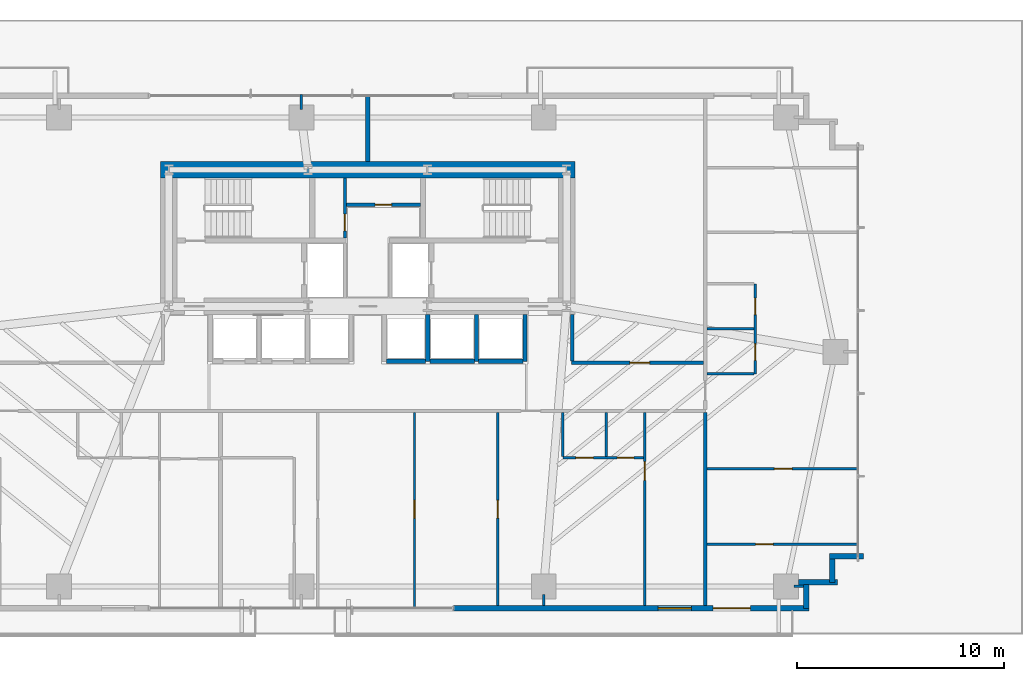
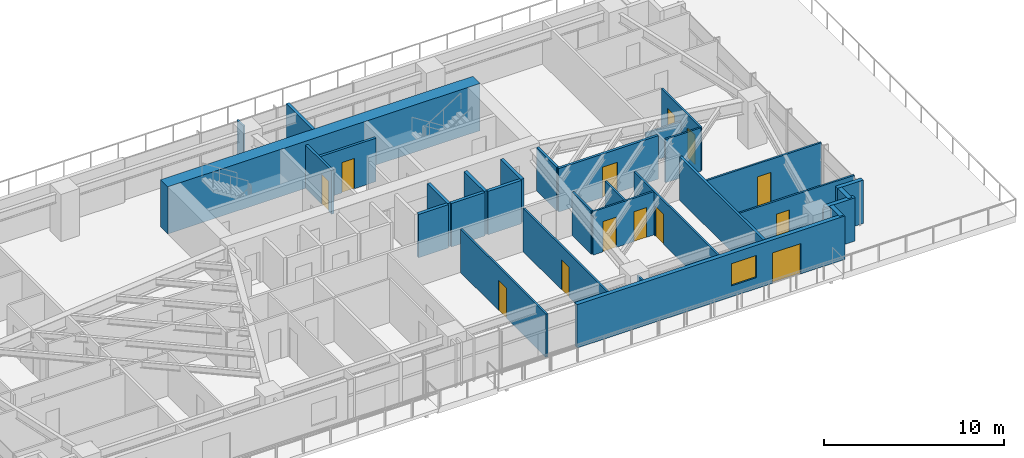
# One storey, part 21 of 26: 32 walls, 13 doors, 1 window, 14 openings.
"""IFC4 building model written with IfcOpenShell, lengths in metres."""

from ifc_helpers import new_model, si_unit, direction, frame, frame_2d, origin, place, context, subcontext, project, spatial, rectangle, extrude, source, transform, mapped, material, layer, layer_set, type_object, type_shapes, element, fill, save


model = new_model("IFC4")

# Units and contexts
model_context = context("Model", 3, precision=1e-05, world=origin(), true_north=direction((0.0, 1.0)))
body_context = subcontext(model_context, "Body", "Model", "MODEL_VIEW")
ifc_project = project(units=[si_unit("LENGTHUNIT", "METRE"), si_unit("AREAUNIT", "SQUARE_METRE"), si_unit("VOLUMEUNIT", "CUBIC_METRE"), si_unit("PLANEANGLEUNIT", "RADIAN"), si_unit("MASSUNIT", "GRAM", prefix="KILO")], contexts=[model_context])

# Site, building, storey
site_placement = place(None, origin())
site = spatial("IfcSite", under=ifc_project, at=site_placement, CompositionType="ELEMENT")
building_placement = place(site_placement, origin())
building = spatial("IfcBuilding", under=site, at=building_placement, Name="Astriad Promenade Condominiums", CompositionType="ELEMENT")
storey_placement = place(building_placement, frame((0.0, 0.0, 23.0)))
storey = spatial("IfcBuildingStorey", under=building, at=storey_placement, Name="L05", CompositionType="ELEMENT", Elevation=23.0)

# Wall
ifc_material_1 = material(Name="Concrete C80/95", Category="concrete")
ifc_layer_1 = layer(ifc_material_1, 0.800048828125)
ifc_layer_set_1 = layer_set([ifc_layer_1], Name="Concrete C80/95")
wall_type_1 = type_object("IfcWallType", Name="CW-SHEAR-800", PredefinedType="SHEAR", material=ifc_layer_set_1)
wall_1_placement = place(storey_placement, frame((26.0, 24.0, 0.0), z_axis=(0.0, 0.0, 1.0), x_axis=(1.0, 0.0, 0.0)))
element("IfcWall", 1, at=wall_1_placement, inside=storey, type_object=wall_type_1, Name="CW-CORE-N-L05", PredefinedType="SHEAR", context=body_context, shape_type="SweptSolid", body=[
    extrude(rectangle(XDim=20.0, YDim=0.800048828125, at=frame_2d((10.0, 0.0))), origin(), (0.0, 0.0, 1.0), 3.199951171875),
])

# Wall, opening, door
ifc_material_2 = material(Name="Fire-Rated Gypsum Partition")
ifc_layer_2 = layer(ifc_material_2, 0.159912109375)
ifc_layer_set_2 = layer_set([ifc_layer_2], Name="Fire-Rated Gypsum Partition")
wall_type_2 = type_object("IfcWallType", Name="WALL-CORR-160", PredefinedType="PARTITIONING", material=ifc_layer_set_2)
wall_2_placement = place(storey_placement, frame((34.89990234375, 20.701904296875, 0.0), z_axis=(0.0, 0.0, 1.0), x_axis=(0.0, 1.0, 0.0)))
wall_2 = element("IfcWall", 2, at=wall_2_placement, inside=storey, type_object=wall_type_2, Name="CW-AUX-W-L05", PredefinedType="PARTITIONING", context=body_context, shape_type="SweptSolid", body=[
    extrude(rectangle(XDim=2.89599609375, YDim=0.159912109375, at=frame_2d((1.447998046875, 0.0))), origin(), (0.0, 0.0, 1.0), 2.93994140625),
])
opening_1_placement = place(wall_2_placement, frame((0.347900390625, 0.0, 0.0)))
opening_1 = element("IfcOpeningElement", 3, at=opening_1_placement, cuts=wall_2, Name="Opening FD60-SV-080", PredefinedType="OPENING", context=body_context, shape_type="SweptSolid", body=[
    extrude(rectangle(XDim=0.800048828125, YDim=2.050048828125, at=frame_2d((0.39990234375, 1.02490234375))), frame((0.0, 0.08984375, 0.0), z_axis=(0.0, -1.0, 0.0), x_axis=(1.0, 0.0, 0.0)), (0.0, 0.0, 1.0), 0.179931640625),
])
ifc_material_3 = material(Name="Fire-Rated Riser Closet Door")
door_type_1 = type_object("IfcDoorType", Name="FD60-SV-080", OperationType="NOTDEFINED", PredefinedType="DOOR", material=ifc_material_3)
shared_shape_1 = source(origin(), body_context, "Body", "SweptSolid", [
    extrude(rectangle(XDim=0.800048828125, YDim=2.050048828125, at=frame_2d((0.39990234375, 1.02490234375))), frame((0.0, 0.02490234375, 0.0), z_axis=(0.0, -1.0, 0.0), x_axis=(1.0, 0.0, 0.0)), (0.0, 0.0, 1.0), 0.050048828125),
])
type_shapes(door_type_1, [shared_shape_1])
door_1_placement = place(opening_1_placement, origin())
door_1 = element("IfcDoor", 4, at=door_1_placement, inside=storey, type_object=door_type_1, Name="D-AUX1-L05", OperationType="SINGLE_SWING_LEFT", OverallHeight=2.050048828125, OverallWidth=0.800048828125, PredefinedType="DOOR", context=body_context, shape_type="MappedRepresentation", body=[
    mapped(shared_shape_1, transform((0.0, 0.0, 0.0), scale=1.0)),
])
fill(opening_1, door_1)

wall_3_placement = place(storey_placement, frame((34.98193359375, 22.300048828125, 0.0), z_axis=(0.0, 0.0, 1.0), x_axis=(1.0, 0.0, 0.0)))
wall_3 = element("IfcWall", 5, at=wall_3_placement, inside=storey, type_object=wall_type_2, Name="CW-AUX-N-L05", PredefinedType="PARTITIONING", context=body_context, shape_type="SweptSolid", body=[
    extrude(rectangle(XDim=3.566162109375, YDim=0.159912109375, at=frame_2d((1.783203125, 0.0))), origin(), (0.0, 0.0, 1.0), 2.93994140625),
])
opening_2_placement = place(wall_3_placement, frame((1.3779296875, 0.0, 0.0)))
opening_2 = element("IfcOpeningElement", 6, at=opening_2_placement, cuts=wall_3, Name="Opening FD60-SV-080", PredefinedType="OPENING", context=body_context, shape_type="SweptSolid", body=[
    extrude(rectangle(XDim=0.800048828125, YDim=2.050048828125, at=frame_2d((0.39990234375, 1.02490234375))), frame((0.0, 0.08984375, 0.0), z_axis=(0.0, -1.0, 0.0), x_axis=(1.0, 0.0, 0.0)), (0.0, 0.0, 1.0), 0.179931640625),
])
door_2_placement = place(opening_2_placement, origin())
door_2 = element("IfcDoor", 7, at=door_2_placement, inside=storey, type_object=door_type_1, Name="D-AUX2-L05", OperationType="SINGLE_SWING_RIGHT", OverallHeight=2.050048828125, OverallWidth=0.800048828125, PredefinedType="DOOR", context=body_context, shape_type="MappedRepresentation", body=[
    mapped(shared_shape_1, transform((0.0, 0.0, 0.0), scale=1.0)),
])
fill(opening_2, door_2)

# Wall
wall_4_placement = place(storey_placement, frame((52.300048828125, 2.9619140625, 0.0), z_axis=(0.0, 0.0, 1.0), x_axis=(0.0, 1.0, 0.0)))
element("IfcWall", 8, at=wall_4_placement, inside=storey, type_object=wall_type_2, Name="PT-COR-E-L05", PredefinedType="PARTITIONING", context=body_context, shape_type="SweptSolid", body=[
    extrude(rectangle(XDim=9.30615234375, YDim=0.159912109375, at=frame_2d((4.653076171875, 0.0))), origin(), (0.0, 0.0, 1.0), 2.93994140625),
])

# Wall, opening, door
wall_5_placement = place(storey_placement, frame((45.840087890625, 14.679931640625, 0.0), z_axis=(0.0, 0.0, 1.0), x_axis=(1.0, 0.0, 0.0)))
wall_5 = element("IfcWall", 9, at=wall_5_placement, inside=storey, type_object=wall_type_2, Name="PT-FLK-NE-L05", PredefinedType="PARTITIONING", context=body_context, shape_type="SweptSolid", body=[
    extrude(rectangle(XDim=6.3779296875, YDim=0.159912109375, at=frame_2d((3.18896484375, 0.0))), origin(), (0.0, 0.0, 1.0), 2.93994140625),
])
opening_3_placement = place(wall_5_placement, frame((2.81494140625, 0.0, 0.0)))
opening_3 = element("IfcOpeningElement", 10, at=opening_3_placement, cuts=wall_5, Name="Opening FD60-APT-095", PredefinedType="OPENING", context=body_context, shape_type="SweptSolid", body=[
    extrude(rectangle(XDim=0.949951171875, YDim=2.06005859375, at=frame_2d((0.47509765625, 1.030029296875))), frame((0.0, 0.08984375, 0.0), z_axis=(0.0, -1.0, 0.0), x_axis=(1.0, 0.0, 0.0)), (0.0, 0.0, 1.0), 0.179931640625),
])
ifc_material_4 = material(Name="Solid-Core Acoustic Timber Residence Entry Door", Category="wood")
door_type_2 = type_object("IfcDoorType", Name="FD60-APT-095", OperationType="NOTDEFINED", PredefinedType="DOOR", material=ifc_material_4)
shared_shape_2 = source(origin(), body_context, "Body", "SweptSolid", [
    extrude(rectangle(XDim=0.949951171875, YDim=2.06005859375, at=frame_2d((0.47509765625, 1.030029296875))), frame((0.0, 0.02490234375, 0.0), z_axis=(0.0, -1.0, 0.0), x_axis=(1.0, 0.0, 0.0)), (0.0, 0.0, 1.0), 0.050048828125),
])
type_shapes(door_type_2, [shared_shape_2])
door_3_placement = place(opening_3_placement, origin())
door_3 = element("IfcDoor", 11, at=door_3_placement, inside=storey, type_object=door_type_2, Name="D-NEA-L05", OperationType="SINGLE_SWING_RIGHT", OverallHeight=2.06005859375, OverallWidth=0.949951171875, PredefinedType="DOOR", context=body_context, shape_type="MappedRepresentation", body=[
    mapped(shared_shape_2, transform((0.0, 0.0, 0.0), scale=1.0)),
])
fill(opening_3, door_3)

# Walls
wall_6_placement = place(storey_placement, frame((45.8798828125, 14.761962890625, 0.0), z_axis=(0.0, 0.0, 1.0), x_axis=(0.0, 1.0, 0.0)))
element("IfcWall", 12, at=wall_6_placement, inside=storey, type_object=wall_type_2, Name="PT-ESPUR-E-L05", PredefinedType="PARTITIONING", context=body_context, shape_type="SweptSolid", body=[
    extrude(rectangle(XDim=2.236083984375, YDim=0.159912109375, at=frame_2d((1.1181640625, 0.0))), origin(), (0.0, 0.0, 1.0), 2.93994140625),
])
ifc_material_5 = material(Name="Acoustic Double-Stud Gypsum Partition")
ifc_layer_3 = layer(ifc_material_5, 0.199951171875)
ifc_layer_set_3 = layer_set([ifc_layer_3], Name="Acoustic Double-Stud Gypsum Partition")
wall_type_3 = type_object("IfcWallType", Name="WALL-DEMISING-200", PredefinedType="PARTITIONING", material=ifc_layer_set_3)
wall_7_placement = place(storey_placement, frame((36.0, 24.402099609375, 0.0), z_axis=(0.0, 0.0, 1.0), x_axis=(0.0, 1.0, 0.0)))
element("IfcWall", 13, at=wall_7_placement, inside=storey, type_object=wall_type_3, Name="PT-NC-MID-L05", PredefinedType="PARTITIONING", context=body_context, shape_type="SweptSolid", body=[
    extrude(rectangle(XDim=3.218017578125, YDim=0.199951171875, at=frame_2d((1.60888671875, 0.0))), origin(), (0.0, 0.0, 1.0), 2.93994140625),
])
ifc_material_6 = material(Name="Precast concrete C50/60", Category="concrete")
ifc_layer_4 = layer(ifc_material_6, 0.260009765625)
ifc_layer_set_4 = layer_set([ifc_layer_4], Name="Precast concrete C50/60")
wall_type_4 = type_object("IfcWallType", Name="WALL-EXT-TWR-260", PredefinedType="STANDARD", material=ifc_layer_set_4)
wall_8_placement = place(storey_placement, frame((59.929931640625, 5.330078125, 0.0), z_axis=(0.0, 0.0, 1.0), x_axis=(-1.0, 0.0, 0.0)))
element("IfcWall", 14, at=wall_8_placement, inside=storey, type_object=wall_type_4, Name="W-SER-L05-14", PredefinedType="STANDARD", context=body_context, shape_type="SweptSolid", body=[
    extrude(rectangle(XDim=1.639892578125, YDim=0.260009765625, at=frame_2d((0.81982421875, 0.0))), origin(), (0.0, 0.0, 1.0), 2.93994140625),
])
wall_9_placement = place(storey_placement, frame((58.419921875, 5.215087890625, 0.0), z_axis=(0.0, 0.0, 1.0), x_axis=(0.0, -1.0, 0.0)))
element("IfcWall", 15, at=wall_9_placement, inside=storey, type_object=wall_type_4, Name="W-SER-L05-15", PredefinedType="STANDARD", context=body_context, shape_type="SweptSolid", body=[
    extrude(rectangle(XDim=1.150146484375, YDim=0.260009765625, at=frame_2d((0.5751953125, 0.0))), origin(), (0.0, 0.0, 1.0), 2.93994140625),
])
wall_10_placement = place(storey_placement, frame((58.679931640625, 4.080078125, 0.0), z_axis=(0.0, 0.0, 1.0), x_axis=(-1.0, 0.0, 0.0)))
element("IfcWall", 16, at=wall_10_placement, inside=storey, type_object=wall_type_4, Name="W-SER-L05-16", PredefinedType="STANDARD", context=body_context, shape_type="SweptSolid", body=[
    extrude(rectangle(XDim=1.8779296875, YDim=0.260009765625, at=frame_2d((0.93896484375, 0.0))), origin(), (0.0, 0.0, 1.0), 2.93994140625),
])
wall_11_placement = place(storey_placement, frame((57.169921875, 3.965087890625, 0.0), z_axis=(0.0, 0.0, 1.0), x_axis=(0.0, -1.0, 0.0)))
element("IfcWall", 17, at=wall_11_placement, inside=storey, type_object=wall_type_4, Name="W-SER-L05-17", PredefinedType="STANDARD", context=body_context, shape_type="SweptSolid", body=[
    extrude(rectangle(XDim=1.150146484375, YDim=0.260009765625, at=frame_2d((0.5751953125, 0.0))), origin(), (0.0, 0.0, 1.0), 2.93994140625),
])

# Wall, openings, door, window
wall_12_placement = place(storey_placement, frame((57.300048828125, 2.830078125, 0.0), z_axis=(0.0, 0.0, 1.0), x_axis=(-1.0, 0.0, 0.0)))
wall_12 = element("IfcWall", 18, at=wall_12_placement, inside=storey, type_object=wall_type_4, Name="W-EXT-L05-S1", PredefinedType="STANDARD", context=body_context, shape_type="SweptSolid", body=[
    extrude(rectangle(XDim=17.150146484375, YDim=0.260009765625, at=frame_2d((8.5751953125, 0.0))), origin(), (0.0, 0.0, 1.0), 2.93994140625),
])
opening_4_placement = place(wall_12_placement, frame((2.825927734375, 0.0, 0.0)))
opening_4 = element("IfcOpeningElement", 19, at=opening_4_placement, cuts=wall_12, Name="Opening BD-1822-SLD", PredefinedType="OPENING", context=body_context, shape_type="SweptSolid", body=[
    extrude(rectangle(XDim=1.800048828125, YDim=2.06005859375, at=frame_2d((0.89990234375, 1.030029296875))), frame((0.0, 0.139892578125, 0.0), z_axis=(0.0, -1.0, 0.0), x_axis=(1.0, 0.0, 0.0)), (0.0, 0.0, 1.0), 0.280029296875),
])
opening_5_placement = place(wall_12_placement, frame((5.675048828125, 0.0, 0.75)))
opening_5 = element("IfcOpeningElement", 20, at=opening_5_placement, cuts=wall_12, Name="Opening WIN-TWR-1620", PredefinedType="OPENING", context=body_context, shape_type="SweptSolid", body=[
    extrude(rectangle(XDim=1.60009765625, YDim=1.5, at=frame_2d((0.800048828125, 0.75))), frame((0.0, 0.139892578125, 0.0), z_axis=(0.0, -1.0, 0.0), x_axis=(1.0, 0.0, 0.0)), (0.0, 0.0, 1.0), 0.280029296875),
])
ifc_material_7 = material(Name="Thermally Broken Aluminium Sliding Balcony Door", Category="aluminium")
door_type_3 = type_object("IfcDoorType", Name="BD-1822-SLD", OperationType="NOTDEFINED", PredefinedType="DOOR", material=ifc_material_7)
shared_shape_3 = source(origin(), body_context, "Body", "SweptSolid", [
    extrude(rectangle(XDim=1.800048828125, YDim=2.06005859375, at=frame_2d((0.89990234375, 1.030029296875))), frame((0.0, 0.02490234375, 0.0), z_axis=(0.0, -1.0, 0.0), x_axis=(1.0, 0.0, 0.0)), (0.0, 0.0, 1.0), 0.050048828125),
])
type_shapes(door_type_3, [shared_shape_3])
door_4_placement = place(opening_4_placement, origin())
door_4 = element("IfcDoor", 21, at=door_4_placement, inside=storey, type_object=door_type_3, Name="BD-L05-SE", OperationType="SLIDING_TO_RIGHT", OverallHeight=2.06005859375, OverallWidth=1.800048828125, PredefinedType="DOOR", context=body_context, shape_type="MappedRepresentation", body=[
    mapped(shared_shape_3, transform((0.0, 0.0, 0.0), scale=1.0)),
])
fill(opening_4, door_4)
ifc_material_8 = material(Name="Dark Tinted Triple-Glazed Aluminium Window", Category="aluminium")
window_type = type_object("IfcWindowType", Name="WIN-TWR-1620", PartitioningType="SINGLE_PANEL", PredefinedType="WINDOW", material=ifc_material_8)
shared_shape_4 = source(origin(), body_context, "Body", "SweptSolid", [
    extrude(rectangle(XDim=1.60009765625, YDim=1.5, at=frame_2d((0.800048828125, 0.75))), frame((0.0, 0.030029296875, 0.0), z_axis=(0.0, -1.0, 0.0), x_axis=(1.0, 0.0, 0.0)), (0.0, 0.0, 1.0), 0.06005859375),
])
type_shapes(window_type, [shared_shape_4])
window_placement = place(opening_5_placement, origin())
window = element("IfcWindow", 22, at=window_placement, inside=storey, type_object=window_type, Name="WIN-DW-L05-S2-BD1", OverallHeight=1.5, OverallWidth=1.60009765625, PartitioningType="SINGLE_PANEL", PredefinedType="WINDOW", context=body_context, shape_type="MappedRepresentation", body=[
    mapped(shared_shape_4, transform((0.0, 0.0, 0.0), scale=1.0)),
])
fill(opening_5, window)

# Wall, opening, door
ifc_material_9 = material(Name="Acoustic Metal-Stud Gypsum Partition")
ifc_layer_5 = layer(ifc_material_9, 0.1201171875)
ifc_layer_set_5 = layer_set([ifc_layer_5], Name="Acoustic Metal-Stud Gypsum Partition")
wall_type_5 = type_object("IfcWallType", Name="WALL-PART-120", PredefinedType="PARTITIONING", material=ifc_layer_set_5)
wall_13_placement = place(storey_placement, frame((49.3701171875, 2.9619140625, 0.0), z_axis=(0.0, 0.0, 1.0), x_axis=(0.0, 1.0, 0.0)))
wall_13 = element("IfcWall", 23, at=wall_13_placement, inside=storey, type_object=wall_type_5, Name="PT-L05-S2-BD1", PredefinedType="PARTITIONING", context=body_context, shape_type="SweptSolid", body=[
    extrude(rectangle(XDim=9.30615234375, YDim=0.1201171875, at=frame_2d((4.653076171875, 0.0))), origin(), (0.0, 0.0, 1.0), 2.93994140625),
])
opening_6_placement = place(wall_13_placement, frame((6.0380859375, 0.0, 0.0)))
opening_6 = element("IfcOpeningElement", 24, at=opening_6_placement, cuts=wall_13, Name="Opening D-INT-090", PredefinedType="OPENING", context=body_context, shape_type="SweptSolid", body=[
    extrude(rectangle(XDim=0.89990234375, YDim=2.050048828125, at=frame_2d((0.449951171875, 1.02490234375))), frame((0.0, 0.070068359375, 0.0), z_axis=(0.0, -1.0, 0.0), x_axis=(1.0, 0.0, 0.0)), (0.0, 0.0, 1.0), 0.14013671875),
])
ifc_material_10 = material(Name="Painted Solid-Core Timber Bedroom Door", Category="wood")
door_type_4 = type_object("IfcDoorType", Name="D-INT-090", OperationType="NOTDEFINED", PredefinedType="DOOR", material=ifc_material_10)
shared_shape_5 = source(origin(), body_context, "Body", "SweptSolid", [
    extrude(rectangle(XDim=0.89990234375, YDim=2.050048828125, at=frame_2d((0.449951171875, 1.02490234375))), frame((0.0, 0.02490234375, 0.0), z_axis=(0.0, -1.0, 0.0), x_axis=(1.0, 0.0, 0.0)), (0.0, 0.0, 1.0), 0.050048828125),
])
type_shapes(door_type_4, [shared_shape_5])
door_5_placement = place(opening_6_placement, origin())
door_5 = element("IfcDoor", 25, at=door_5_placement, inside=storey, type_object=door_type_4, Name="D-BD1-L05-S2", OperationType="SINGLE_SWING_RIGHT", OverallHeight=2.050048828125, OverallWidth=0.89990234375, PredefinedType="DOOR", context=body_context, shape_type="MappedRepresentation", body=[
    mapped(shared_shape_5, transform((0.0, 0.0, 0.0), scale=1.0)),
])
fill(opening_6, door_5)

# Wall, openings, doors
wall_14_placement = place(storey_placement, frame((45.419921875, 10.10009765625, 0.0), z_axis=(0.0, 0.0, 1.0), x_axis=(1.0, 0.0, 0.0)))
wall_14 = element("IfcWall", 26, at=wall_14_placement, inside=storey, type_object=wall_type_5, Name="PT-L05-S2-PS", PredefinedType="PARTITIONING", context=body_context, shape_type="SweptSolid", body=[
    extrude(rectangle(XDim=3.88818359375, YDim=0.1201171875, at=frame_2d((1.944091796875, 0.0))), origin(), (0.0, 0.0, 1.0), 2.93994140625),
])
opening_7_placement = place(wall_14_placement, frame((0.625, 0.0, 0.0)))
opening_7 = element("IfcOpeningElement", 27, at=opening_7_placement, cuts=wall_14, Name="Opening D-INT-085", PredefinedType="OPENING", context=body_context, shape_type="SweptSolid", body=[
    extrude(rectangle(XDim=0.85009765625, YDim=2.050048828125, at=frame_2d((0.425048828125, 1.02490234375))), frame((0.0, 0.070068359375, 0.0), z_axis=(0.0, -1.0, 0.0), x_axis=(1.0, 0.0, 0.0)), (0.0, 0.0, 1.0), 0.14013671875),
])
opening_8_placement = place(wall_14_placement, frame((2.625, 0.0, 0.0)))
opening_8 = element("IfcOpeningElement", 28, at=opening_8_placement, cuts=wall_14, Name="Opening D-WET-080", PredefinedType="OPENING", context=body_context, shape_type="SweptSolid", body=[
    extrude(rectangle(XDim=0.800048828125, YDim=2.02001953125, at=frame_2d((0.39990234375, 1.010009765625))), frame((0.0, 0.070068359375, 0.0), z_axis=(0.0, -1.0, 0.0), x_axis=(1.0, 0.0, 0.0)), (0.0, 0.0, 1.0), 0.14013671875),
])
ifc_material_11 = material(Name="Moisture-Resistant Timber Bathroom Door", Category="wood")
door_type_5 = type_object("IfcDoorType", Name="D-WET-080", OperationType="NOTDEFINED", PredefinedType="DOOR", material=ifc_material_11)
shared_shape_6 = source(origin(), body_context, "Body", "SweptSolid", [
    extrude(rectangle(XDim=0.800048828125, YDim=2.02001953125, at=frame_2d((0.39990234375, 1.010009765625))), frame((0.0, 0.02490234375, 0.0), z_axis=(0.0, -1.0, 0.0), x_axis=(1.0, 0.0, 0.0)), (0.0, 0.0, 1.0), 0.050048828125),
])
type_shapes(door_type_5, [shared_shape_6])
door_6_placement = place(opening_8_placement, origin())
door_6 = element("IfcDoor", 29, at=door_6_placement, inside=storey, type_object=door_type_5, Name="D-BTH-L05-S2", OperationType="SINGLE_SWING_RIGHT", OverallHeight=2.02001953125, OverallWidth=0.800048828125, PredefinedType="DOOR", context=body_context, shape_type="MappedRepresentation", body=[
    mapped(shared_shape_6, transform((0.0, 0.0, 0.0), scale=1.0)),
])
fill(opening_8, door_6)
ifc_material_12 = material(Name="Painted Solid-Core Timber Room Door", Category="wood")
door_type_6 = type_object("IfcDoorType", Name="D-INT-085", OperationType="NOTDEFINED", PredefinedType="DOOR", material=ifc_material_12)
shared_shape_7 = source(origin(), body_context, "Body", "SweptSolid", [
    extrude(rectangle(XDim=0.85009765625, YDim=2.050048828125, at=frame_2d((0.425048828125, 1.02490234375))), frame((0.0, 0.02490234375, 0.0), z_axis=(0.0, -1.0, 0.0), x_axis=(1.0, 0.0, 0.0)), (0.0, 0.0, 1.0), 0.050048828125),
])
type_shapes(door_type_6, [shared_shape_7])
door_7_placement = place(opening_7_placement, origin())
door_7 = element("IfcDoor", 30, at=door_7_placement, inside=storey, type_object=door_type_6, Name="D-KIT-L05-S2", OperationType="SINGLE_SWING_LEFT", OverallHeight=2.050048828125, OverallWidth=0.85009765625, PredefinedType="DOOR", context=body_context, shape_type="MappedRepresentation", body=[
    mapped(shared_shape_7, transform((0.0, 0.0, 0.0), scale=1.0)),
])
fill(opening_7, door_7)

# Walls
for number, where, z_axis, x_axis, name in (
    (31, (47.52001953125, 10.162109375, 0.0), (0.0, 0.0, 1.0), (0.0, 1.0, 0.0), "PT-L05-S2-PBK"),
    (32, (45.419921875, 10.162109375, 0.0), (0.0, 0.0, 1.0), (0.0, 1.0, 0.0), "PT-L05-S2-PKW"),
):
    element("IfcWall", number, at=place(storey_placement, frame(where, z_axis=z_axis, x_axis=x_axis)), inside=storey, type_object=wall_type_5, Name=name, PredefinedType="PARTITIONING", context=body_context, shape_type="SweptSolid", body=[
        extrude(rectangle(XDim=2.10595703125, YDim=0.1201171875, at=frame_2d((1.052978515625, 0.0))), origin(), (0.0, 0.0, 1.0), 2.93994140625),
    ])

# Wall, opening, door
wall_15_placement = place(storey_placement, frame((38.258056640625, 2.780029296875, 0.0), z_axis=(0.0, 0.0, 1.0), x_axis=(0.0, 1.0, 0.0)))
wall_15 = element("IfcWall", 33, at=wall_15_placement, inside=storey, type_object=wall_type_5, Name="PT-L05-S2-CAP2", PredefinedType="PARTITIONING", context=body_context, shape_type="SweptSolid", body=[
    extrude(rectangle(XDim=9.488037109375, YDim=0.1201171875, at=frame_2d((4.744140625, 0.0))), origin(), (0.0, 0.0, 1.0), 2.93994140625),
])
opening_9_placement = place(wall_15_placement, frame((4.39990234375, 0.0, 0.0)))
opening_9 = element("IfcOpeningElement", 34, at=opening_9_placement, cuts=wall_15, Name="Opening D-INT-085", PredefinedType="OPENING", context=body_context, shape_type="SweptSolid", body=[
    extrude(rectangle(XDim=0.85009765625, YDim=2.050048828125, at=frame_2d((0.425048828125, 1.02490234375))), frame((0.0, 0.070068359375, 0.0), z_axis=(0.0, -1.0, 0.0), x_axis=(1.0, 0.0, 0.0)), (0.0, 0.0, 1.0), 0.14013671875),
])
door_8_placement = place(opening_9_placement, origin())
door_8 = element("IfcDoor", 35, at=door_8_placement, inside=storey, type_object=door_type_6, Name="D-CAP2-L05-S2", OperationType="SINGLE_SWING_LEFT", OverallHeight=2.050048828125, OverallWidth=0.85009765625, PredefinedType="DOOR", context=body_context, shape_type="MappedRepresentation", body=[
    mapped(shared_shape_7, transform((0.0, 0.0, 0.0), scale=1.0)),
])
fill(opening_9, door_8)

wall_16_placement = place(storey_placement, frame((42.27490234375, 2.9619140625, 0.0), z_axis=(0.0, 0.0, 1.0), x_axis=(0.0, 1.0, 0.0)))
wall_16 = element("IfcWall", 36, at=wall_16_placement, inside=storey, type_object=wall_type_5, Name="PT-L05-S2-CAP3", PredefinedType="PARTITIONING", context=body_context, shape_type="SweptSolid", body=[
    extrude(rectangle(XDim=9.30615234375, YDim=0.1201171875, at=frame_2d((4.653076171875, 0.0))), origin(), (0.0, 0.0, 1.0), 2.93994140625),
])
opening_10_placement = place(wall_16_placement, frame((4.218017578125, 0.0, 0.0)))
opening_10 = element("IfcOpeningElement", 37, at=opening_10_placement, cuts=wall_16, Name="Opening D-INT-085", PredefinedType="OPENING", context=body_context, shape_type="SweptSolid", body=[
    extrude(rectangle(XDim=0.85009765625, YDim=2.050048828125, at=frame_2d((0.425048828125, 1.02490234375))), frame((0.0, 0.070068359375, 0.0), z_axis=(0.0, -1.0, 0.0), x_axis=(1.0, 0.0, 0.0)), (0.0, 0.0, 1.0), 0.14013671875),
])
door_9_placement = place(opening_10_placement, origin())
door_9 = element("IfcDoor", 38, at=door_9_placement, inside=storey, type_object=door_type_6, Name="D-CAP3-L05-S2", OperationType="SINGLE_SWING_RIGHT", OverallHeight=2.050048828125, OverallWidth=0.85009765625, PredefinedType="DOOR", context=body_context, shape_type="MappedRepresentation", body=[
    mapped(shared_shape_7, transform((0.0, 0.0, 0.0), scale=1.0)),
])
fill(opening_10, door_9)

# Wall, openings, doors
wall_17_placement = place(storey_placement, frame((54.699951171875, 14.135986328125, 0.0), z_axis=(0.0, 0.0, 1.0), x_axis=(0.0, 1.0, 0.0)))
wall_17 = element("IfcWall", 39, at=wall_17_placement, inside=storey, type_object=wall_type_5, Name="PT-L05-E1-PV", PredefinedType="PARTITIONING", context=body_context, shape_type="SweptSolid", body=[
    extrude(rectangle(XDim=4.35009765625, YDim=0.1201171875, at=frame_2d((2.175048828125, 0.0))), origin(), (0.0, 0.0, 1.0), 2.93994140625),
])
opening_11_placement = place(wall_17_placement, frame((0.662109375, 0.0, 0.0)))
opening_11 = element("IfcOpeningElement", 40, at=opening_11_placement, cuts=wall_17, Name="Opening D-ULOW-080", PredefinedType="OPENING", context=body_context, shape_type="SweptSolid", body=[
    extrude(rectangle(XDim=0.800048828125, YDim=2.0, at=frame_2d((0.39990234375, 1.0))), frame((0.0, 0.070068359375, 0.0), z_axis=(0.0, -1.0, 0.0), x_axis=(1.0, 0.0, 0.0)), (0.0, 0.0, 1.0), 0.14013671875),
])
opening_12_placement = place(wall_17_placement, frame((2.862060546875, 0.0, 0.0)))
opening_12 = element("IfcOpeningElement", 41, at=opening_12_placement, cuts=wall_17, Name="Opening D-WET-080", PredefinedType="OPENING", context=body_context, shape_type="SweptSolid", body=[
    extrude(rectangle(XDim=0.800048828125, YDim=2.02001953125, at=frame_2d((0.39990234375, 1.010009765625))), frame((0.0, 0.070068359375, 0.0), z_axis=(0.0, -1.0, 0.0), x_axis=(1.0, 0.0, 0.0)), (0.0, 0.0, 1.0), 0.14013671875),
])
door_10_placement = place(opening_12_placement, origin())
door_10 = element("IfcDoor", 42, at=door_10_placement, inside=storey, type_object=door_type_5, Name="D-BTH-L05-E1", OperationType="SINGLE_SWING_RIGHT", OverallHeight=2.02001953125, OverallWidth=0.800048828125, PredefinedType="DOOR", context=body_context, shape_type="MappedRepresentation", body=[
    mapped(shared_shape_6, transform((0.0, 0.0, 0.0), scale=1.0)),
])
fill(opening_12, door_10)
ifc_material_13 = material(Name="Painted Timber Low-Headroom Door", Category="wood")
door_type_7 = type_object("IfcDoorType", Name="D-ULOW-080", OperationType="NOTDEFINED", PredefinedType="DOOR", material=ifc_material_13)
shared_shape_8 = source(origin(), body_context, "Body", "SweptSolid", [
    extrude(rectangle(XDim=0.800048828125, YDim=2.0, at=frame_2d((0.39990234375, 1.0))), frame((0.0, 0.02490234375, 0.0), z_axis=(0.0, -1.0, 0.0), x_axis=(1.0, 0.0, 0.0)), (0.0, 0.0, 1.0), 0.050048828125),
])
type_shapes(door_type_7, [shared_shape_8])
door_11_placement = place(opening_11_placement, origin())
door_11 = element("IfcDoor", 43, at=door_11_placement, inside=storey, type_object=door_type_7, Name="D-KIT-L05-E1", OperationType="SINGLE_SWING_LEFT", OverallHeight=2.0, OverallWidth=0.800048828125, PredefinedType="DOOR", context=body_context, shape_type="MappedRepresentation", body=[
    mapped(shared_shape_8, transform((0.0, 0.0, 0.0), scale=1.0)),
])
fill(opening_11, door_11)

# Walls
wall_18_placement = place(storey_placement, frame((52.382080078125, 16.31103515625, 0.0), z_axis=(0.0, 0.0, 1.0), x_axis=(1.0, 0.0, 0.0)))
element("IfcWall", 44, at=wall_18_placement, inside=storey, type_object=wall_type_5, Name="PT-L05-E1-PM", PredefinedType="PARTITIONING", context=body_context, shape_type="SweptSolid", body=[
    extrude(rectangle(XDim=2.255859375, YDim=0.1201171875, at=frame_2d((1.1279296875, 0.0))), origin(), (0.0, 0.0, 1.0), 2.044921875),
])
wall_19_placement = place(storey_placement, frame((52.382080078125, 14.135986328125, 0.0), z_axis=(0.0, 0.0, 1.0), x_axis=(1.0, 0.0, 0.0)))
element("IfcWall", 45, at=wall_19_placement, inside=storey, type_object=wall_type_5, Name="PT-L05-E1-PS", PredefinedType="PARTITIONING", context=body_context, shape_type="SweptSolid", body=[
    extrude(rectangle(XDim=2.255859375, YDim=0.1201171875, at=frame_2d((1.1279296875, 0.0))), origin(), (0.0, 0.0, 1.0), 2.93994140625),
])

# Wall, opening, door
wall_20_placement = place(storey_placement, frame((52.382080078125, 5.909912109375, 0.0), z_axis=(0.0, 0.0, 1.0), x_axis=(1.0, 0.0, 0.0)))
wall_20 = element("IfcWall", 46, at=wall_20_placement, inside=storey, type_object=wall_type_5, Name="PT-L05-E1-B2", PredefinedType="PARTITIONING", context=body_context, shape_type="SweptSolid", body=[
    extrude(rectangle(XDim=7.337890625, YDim=0.1201171875, at=frame_2d((3.6689453125, 0.0))), origin(), (0.0, 0.0, 1.0), 2.93994140625),
])
opening_13_placement = place(wall_20_placement, frame((2.340087890625, 0.0, 0.0)))
opening_13 = element("IfcOpeningElement", 47, at=opening_13_placement, cuts=wall_20, Name="Opening D-INT-085", PredefinedType="OPENING", context=body_context, shape_type="SweptSolid", body=[
    extrude(rectangle(XDim=0.85009765625, YDim=2.050048828125, at=frame_2d((0.425048828125, 1.02490234375))), frame((0.0, 0.070068359375, 0.0), z_axis=(0.0, -1.0, 0.0), x_axis=(1.0, 0.0, 0.0)), (0.0, 0.0, 1.0), 0.14013671875),
])
door_12_placement = place(opening_13_placement, origin())
door_12 = element("IfcDoor", 48, at=door_12_placement, inside=storey, type_object=door_type_6, Name="D-BD2-L05-E1", OperationType="SINGLE_SWING_RIGHT", OverallHeight=2.050048828125, OverallWidth=0.85009765625, PredefinedType="DOOR", context=body_context, shape_type="MappedRepresentation", body=[
    mapped(shared_shape_7, transform((0.0, 0.0, 0.0), scale=1.0)),
])
fill(opening_13, door_12)

wall_21_placement = place(storey_placement, frame((52.382080078125, 9.553955078125, 0.0), z_axis=(0.0, 0.0, 1.0), x_axis=(1.0, 0.0, 0.0)))
wall_21 = element("IfcWall", 49, at=wall_21_placement, inside=storey, type_object=wall_type_5, Name="PT-L05-E1-WDS1", PredefinedType="PARTITIONING", context=body_context, shape_type="SweptSolid", body=[
    extrude(rectangle(XDim=7.337890625, YDim=0.1201171875, at=frame_2d((3.6689453125, 0.0))), origin(), (0.0, 0.0, 1.0), 2.93994140625),
])
opening_14_placement = place(wall_21_placement, frame((3.2529296875, 0.0, 0.0)))
opening_14 = element("IfcOpeningElement", 50, at=opening_14_placement, cuts=wall_21, Name="Opening D-INT-085", PredefinedType="OPENING", context=body_context, shape_type="SweptSolid", body=[
    extrude(rectangle(XDim=0.85009765625, YDim=2.050048828125, at=frame_2d((0.425048828125, 1.02490234375))), frame((0.0, 0.070068359375, 0.0), z_axis=(0.0, -1.0, 0.0), x_axis=(1.0, 0.0, 0.0)), (0.0, 0.0, 1.0), 0.14013671875),
])
door_13_placement = place(opening_14_placement, origin())
door_13 = element("IfcDoor", 51, at=door_13_placement, inside=storey, type_object=door_type_6, Name="D-WDS1-L05-E1", OperationType="SINGLE_SWING_LEFT", OverallHeight=2.050048828125, OverallWidth=0.85009765625, PredefinedType="DOOR", context=body_context, shape_type="MappedRepresentation", body=[
    mapped(shared_shape_7, transform((0.0, 0.0, 0.0), scale=1.0)),
])
fill(opening_14, door_13)

# Walls
wall_22_placement = place(storey_placement, frame((44.5, 3.5, 0.0), z_axis=(0.0, 0.0, 1.0), x_axis=(0.0, -1.0, 0.0)))
element("IfcWall", 52, at=wall_22_placement, inside=storey, type_object=wall_type_5, Name="PT-PIL-L05-PC04-11", PredefinedType="PARTITIONING", context=body_context, shape_type="SweptSolid", body=[
    extrude(rectangle(XDim=0.5380859375, YDim=0.1201171875, at=frame_2d((0.26904296875, 0.0))), origin(), (0.0, 0.0, 1.0), 2.93994140625),
])
wall_23_placement = place(storey_placement, frame((56.580078125, 3.8798828125, 0.0), z_axis=(0.0, 0.0, 1.0), x_axis=(1.0, 0.0, 0.0)))
element("IfcWall", 53, at=wall_23_placement, inside=storey, type_object=wall_type_5, Name="PT-PIL-L05-PC05-12", PredefinedType="PARTITIONING", context=body_context, shape_type="SweptSolid", body=[
    extrude(rectangle(XDim=0.4580078125, YDim=0.1201171875, at=frame_2d((0.22900390625, 0.0))), origin(), (0.0, 0.0, 1.0), 2.93994140625),
])
wall_24_placement = place(storey_placement, frame((32.800048828125, 26.89990234375, 0.0), z_axis=(0.0, 0.0, 1.0), x_axis=(0.0, 1.0, 0.0)))
element("IfcWall", 54, at=wall_24_placement, inside=storey, type_object=wall_type_5, Name="PT-PIL-L05-PC08-15", PredefinedType="PARTITIONING", context=body_context, shape_type="SweptSolid", body=[
    extrude(rectangle(XDim=0.72021484375, YDim=0.1201171875, at=frame_2d((0.360107421875, 0.0))), origin(), (0.0, 0.0, 1.0), 2.93994140625),
])
ifc_material_14 = material(Name="Gypsum Shaftliner Assembly")
ifc_layer_6 = layer(ifc_material_14, 0.199951171875)
ifc_layer_set_6 = layer_set([ifc_layer_6], Name="Gypsum Shaftliner Assembly")
wall_type_6 = type_object("IfcWallType", Name="WALL-SHAFT-200", PredefinedType="PARTITIONING", material=ifc_layer_set_6)
wall_25_placement = place(storey_placement, frame((38.89990234375, 14.75, 0.0), z_axis=(0.0, 0.0, 1.0), x_axis=(0.0, 1.0, 0.0)))
element("IfcWall", 55, at=wall_25_placement, inside=storey, type_object=wall_type_6, Name="PL-MH-DIV-L05", PredefinedType="PARTITIONING", context=body_context, shape_type="SweptSolid", body=[
    extrude(rectangle(XDim=2.248046875, YDim=0.199951171875, at=frame_2d((1.1240234375, 0.0))), origin(), (0.0, 0.0, 1.0), 2.93994140625),
])
wall_26_placement = place(storey_placement, frame((36.902099609375, 14.75, 0.0), z_axis=(0.0, 0.0, 1.0), x_axis=(1.0, 0.0, 0.0)))
element("IfcWall", 56, at=wall_26_placement, inside=storey, type_object=wall_type_6, Name="PL-M2-F-L05", PredefinedType="PARTITIONING", context=body_context, shape_type="SweptSolid", body=[
    extrude(rectangle(XDim=1.89599609375, YDim=0.199951171875, at=frame_2d((0.947998046875, 0.0))), origin(), (0.0, 0.0, 1.0), 2.93994140625),
])
for number, where, z_axis, x_axis, name in (
    (57, (41.25, 14.75, 0.0), (0.0, 0.0, 1.0), (0.0, 1.0, 0.0), "PL-H-DIV-L05"),
    (58, (43.60009765625, 14.75, 0.0), (0.0, 0.0, 1.0), (0.0, 1.0, 0.0), "PL-E-OUT-L05"),
):
    element("IfcWall", number, at=place(storey_placement, frame(where, z_axis=z_axis, x_axis=x_axis)), inside=storey, type_object=wall_type_6, Name=name, PredefinedType="PARTITIONING", context=body_context, shape_type="SweptSolid", body=[
        extrude(rectangle(XDim=2.248046875, YDim=0.199951171875, at=frame_2d((1.1240234375, 0.0))), origin(), (0.0, 0.0, 1.0), 2.93994140625),
    ])
for number, where, z_axis, x_axis, name in (
    (59, (39.001953125, 14.75, 0.0), (0.0, 0.0, 1.0), (1.0, 0.0, 0.0), "PL-H-FRT-L05"),
    (60, (41.35205078125, 14.75, 0.0), (0.0, 0.0, 1.0), (1.0, 0.0, 0.0), "PL-H-FRT-L05-S2"),
):
    element("IfcWall", number, at=place(storey_placement, frame(where, z_axis=z_axis, x_axis=x_axis)), inside=storey, type_object=wall_type_6, Name=name, PredefinedType="PARTITIONING", context=body_context, shape_type="SweptSolid", body=[
        extrude(rectangle(XDim=2.14599609375, YDim=0.199951171875, at=frame_2d((1.072998046875, 0.0))), origin(), (0.0, 0.0, 1.0), 2.93994140625),
    ])

save(model, "model.ifc")
